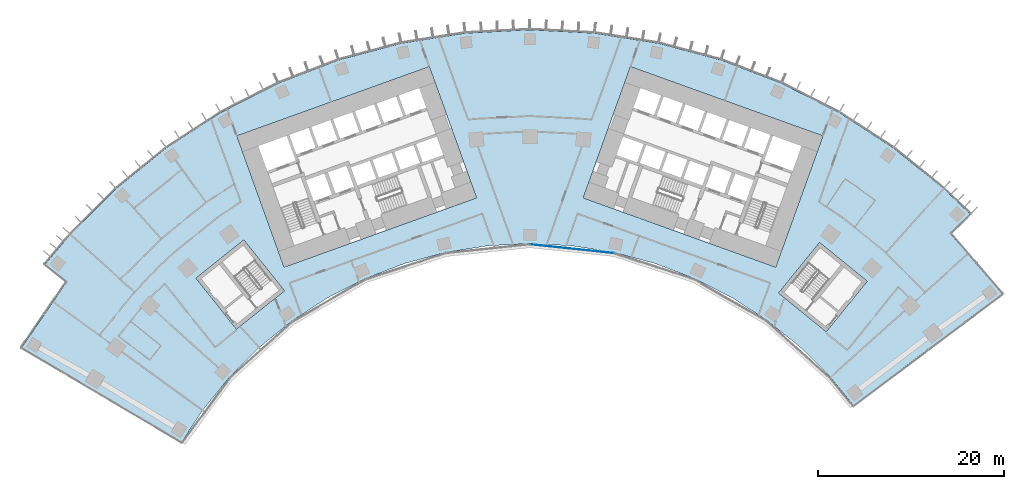
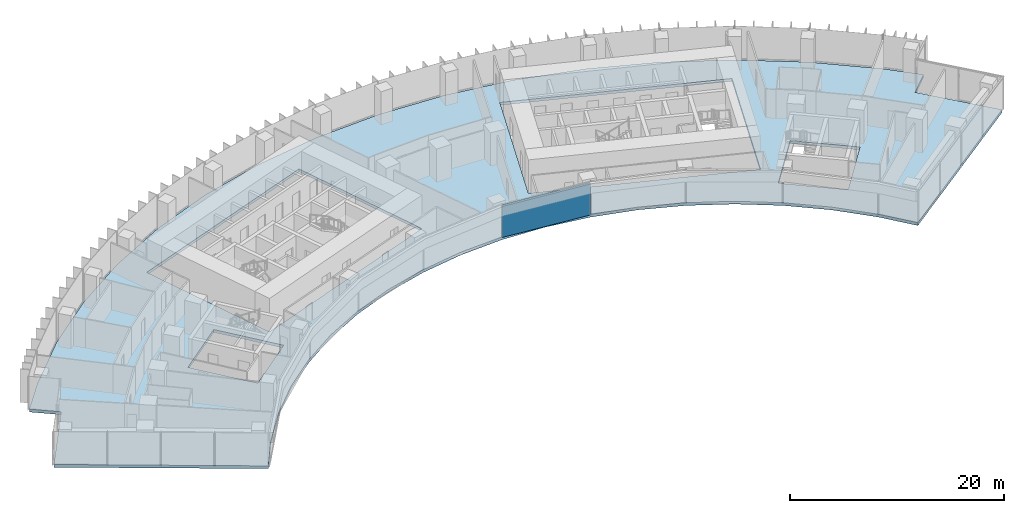
# One storey, part 15 of 24: 1 plate, 1 slab, 1 element without a shape of its own.
"""IFC4 building model written with IfcOpenShell, lengths in metres."""

from ifc_helpers import new_model, si_unit, direction, frame, origin, origin_2d, place, context, subcontext, project, spatial, polyline, rectangle, outline, extrude, material, layer, layer_set, type_object, element, aggregate, save


model = new_model("IFC4")

# Units and contexts
model_context = context("Model", 3, precision=1e-05, world=origin(), true_north=direction((0.0, 1.0)))
body_context = subcontext(model_context, "Body", "Model", "MODEL_VIEW")
ifc_project = project(units=[si_unit("LENGTHUNIT", "METRE"), si_unit("AREAUNIT", "SQUARE_METRE"), si_unit("VOLUMEUNIT", "CUBIC_METRE"), si_unit("PLANEANGLEUNIT", "RADIAN"), si_unit("MASSUNIT", "GRAM", prefix="KILO")], contexts=[model_context])

# Site, building, storey
site_placement = place(None, origin())
site = spatial("IfcSite", under=ifc_project, at=site_placement, CompositionType="ELEMENT")
building_placement = place(site_placement, origin())
building = spatial("IfcBuilding", under=site, at=building_placement, Name="Stone Belt Terrace Tower", CompositionType="ELEMENT")
storey_placement = place(building_placement, frame((0.0, 0.0, 75.60009765625)))
storey = spatial("IfcBuildingStorey", under=building, at=storey_placement, Name="L18", CompositionType="ELEMENT", Elevation=75.60009765625)

# Curtain wall, plate
ifc_material_1 = material(Name="Aluminium 6063-T6 anodised frame", Category="aluminium")
ifc_layer_1 = layer(ifc_material_1, 0.14990234375)
ifc_layer_set_1 = layer_set([ifc_layer_1], Name="CW-B unitised concave-face curtain wall")
curtain_wall_type = type_object("IfcCurtainWallType", Name="CW-B unitised concave-face curtain wall", PredefinedType="NOTDEFINED", material=ifc_layer_set_1)
curtain_wall_placement = place(storey_placement, origin())
curtain_wall = element("IfcCurtainWall", 1, at=curtain_wall_placement, inside=storey, type_object=curtain_wall_type, Name="CW-B concave face L18", PredefinedType="NOTDEFINED")
ifc_material_2 = material(Name="Clear double glazed unit")
ifc_layer_2 = layer(ifc_material_2, 0.030029296875)
ifc_layer_set_2 = layer_set([ifc_layer_2], Name="CW-B glass panel 30")
plate_type = type_object("IfcPlateType", Name="CW-B glass panel 30", PredefinedType="CURTAIN_PANEL", material=ifc_layer_set_2)
plate_placement = place(storey_placement, frame((4.51416015625, 42.9501953125, 0.0), z_axis=(0.0, 0.0, 1.0), x_axis=(0.994521895368, -0.104528463268, 0.0)))
plate = element("IfcPlate", 2, at=plate_placement, type_object=plate_type, Name="CW-B panel 6.1", PredefinedType="CURTAIN_PANEL", context=body_context, shape_type="SweptSolid", body=[
    extrude(rectangle(XDim=9.0126953125, YDim=0.030029296875, at=origin_2d()), origin(), (0.0, 0.0, 1.0), 3.679931640625),
])
aggregate(curtain_wall, [plate])

# Slab
ifc_material_3 = material(Name="Concrete B40", Category="concrete")
ifc_layer_3 = layer(ifc_material_3, 0.320068359375)
ifc_layer_set_3 = layer_set([ifc_layer_3], Name="Floor slab 320 B40")
slab_type = type_object("IfcSlabType", Name="Floor slab 320 B40", PredefinedType="FLOOR", material=ifc_layer_set_3)
slab_placement = place(storey_placement, frame((0.0, 0.0, -0.320068359375)))
element("IfcSlab", 3, at=slab_placement, inside=storey, type_object=slab_type, Name="Floor slab L18", PredefinedType="FLOOR", context=body_context, shape_type="SweptSolid", body=[
    extrude(outline(polyline([(-49.419189453125, 44.497314453125), (-44.497314453125, 49.419189453125), (-39.087646484375, 53.799560546875), (-33.25, 57.5908203125), (-27.048095703125, 60.750732421875), (-20.549560546875, 63.245361328125), (-13.826171875, 65.046875), (-6.951171875, 66.1357421875), (0.0, 66.5), (6.951171875, 66.1357421875), (13.826171875, 65.046875), (20.549560546875, 63.245361328125), (27.048095703125, 60.750732421875), (33.25, 57.5908203125), (39.087646484375, 53.799560546875), (44.497314453125, 49.419189453125), (47.328857421875, 46.714111328125), (45.19384765625, 44.606689453125), (50.799072265625, 38.10107421875), (34.79931640625, 26.100830078125), (32.326904296875, 29.107177734375), (29.107177734375, 32.326904296875), (25.568603515625, 35.192138671875), (21.75, 37.672119140625), (17.693115234375, 39.7392578125), (13.442138671875, 41.37109375), (9.044189453125, 42.54931640625), (4.547119140625, 43.26171875), (0.0, 43.5), (-4.547119140625, 43.26171875), (-9.044189453125, 42.54931640625), (-13.442138671875, 41.37109375), (-17.693115234375, 39.7392578125), (-21.75, 37.672119140625), (-25.568603515625, 35.192138671875), (-29.107177734375, 32.326904296875), (-32.326904296875, 29.107177734375), (-35.192138671875, 25.568603515625), (-37.434326171875, 22.156982421875), (-54.6455078125, 32.343994140625), (-49.78173828125, 39.421142578125), (-52.133544921875, 41.28369140625), (-49.419189453125, 44.497314453125)]), holes=[polyline([(-26.434814453125, 40.968994140625), (-5.734619140625, 48.418701171875), (-10.81396484375, 62.532470703125), (-31.51416015625, 55.082763671875), (-26.434814453125, 40.968994140625)]), polyline([(10.81396484375, 62.532470703125), (5.734619140625, 48.418701171875), (26.434814453125, 40.968994140625), (31.51416015625, 55.082763671875), (10.81396484375, 62.532470703125)]), polyline([(-35.91796875, 39.787353515625), (-31.55615234375, 34.3125), (-26.39404296875, 38.425048828125), (-30.756103515625, 43.89990234375), (-35.91796875, 39.787353515625)]), polyline([(36.2783203125, 39.459228515625), (31.15380859375, 43.61865234375), (26.742431640625, 38.18359375), (31.86669921875, 34.024169921875), (36.2783203125, 39.459228515625)])]), origin(), (0.0, 0.0, 1.0), 0.320068359375),
])

save(model, "model.ifc")
